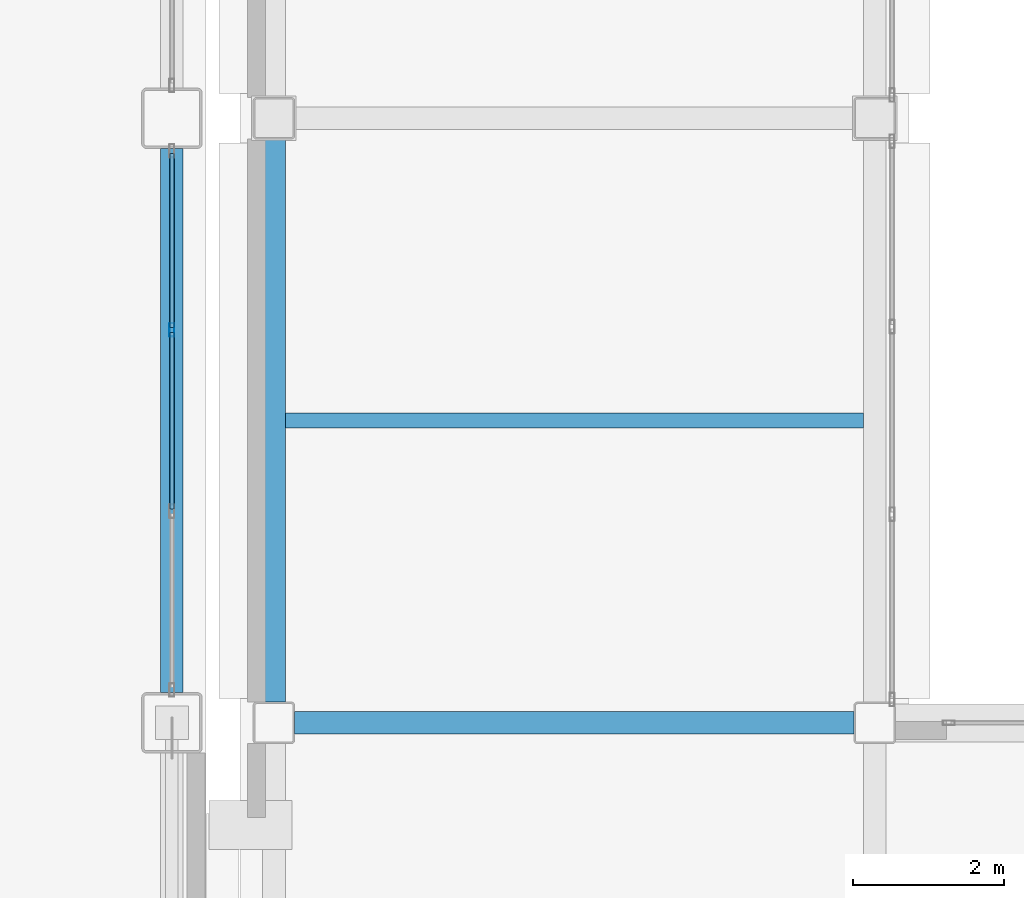
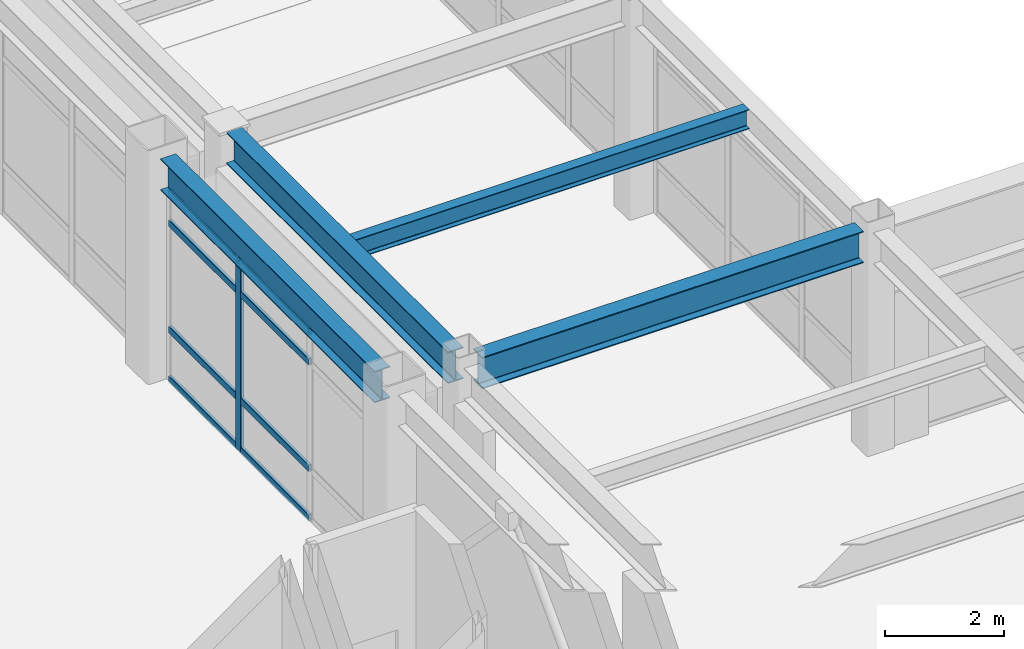
# One storey, part 36 of 154: 9 members, 4 beams, 1 element without a shape of its own.
"""IFC4 building model written with IfcOpenShell, lengths in metres."""

from ifc_helpers import new_model, si_unit, direction, frame, origin, origin_2d, place, context, subcontext, project, spatial, hollow_rectangle, i_section, extrude, material, layer, layer_set, material_profile, profile_set, type_object, element, aggregate, save


model = new_model("IFC4")

# Units and contexts
model_context = context("Model", 3, precision=1e-05, world=origin(), true_north=direction((0.0, 1.0)))
body_context = subcontext(model_context, "Body", "Model", "MODEL_VIEW")
ifc_project = project(units=[si_unit("LENGTHUNIT", "METRE"), si_unit("AREAUNIT", "SQUARE_METRE"), si_unit("VOLUMEUNIT", "CUBIC_METRE"), si_unit("PLANEANGLEUNIT", "RADIAN"), si_unit("MASSUNIT", "GRAM", prefix="KILO")], contexts=[model_context])

# Site, building, storey
site_placement = place(None, origin())
site = spatial("IfcSite", under=ifc_project, at=site_placement, CompositionType="ELEMENT")
building_placement = place(site_placement, origin())
building = spatial("IfcBuilding", under=site, at=building_placement, Name="Kazehara Bluff Congress Hotel", CompositionType="ELEMENT")
storey_placement = place(building_placement, frame((0.0, 0.0, 10.199951171875)))
storey = spatial("IfcBuildingStorey", under=building, at=storey_placement, Name="L02", CompositionType="ELEMENT", Elevation=10.199951171875)

# Curtain wall, members
ifc_material_1 = material(Name="Anodised aluminium", Category="aluminium")
ifc_layer = layer(ifc_material_1, 0.159912109375)
ifc_layer_set = layer_set([ifc_layer], Name="Anodised aluminium")
curtain_wall_type = type_object("IfcCurtainWallType", Name="TP-CW-23", PredefinedType="NOTDEFINED", material=ifc_layer_set)
curtain_wall_placement = place(storey_placement, origin())
curtain_wall = element("IfcCurtainWall", 1, at=curtain_wall_placement, inside=storey, type_object=curtain_wall_type, Name="L02 curtain wall CW-23 CW-V1-L02-X5835-5685", PredefinedType="NOTDEFINED")
ifc_material_2 = material(Name="Anodised aluminium", Category="aluminium")
ifc_material_profile_1 = material_profile(ifc_material_2, hollow_rectangle(XDim=0.06494140625, YDim=0.179931640625, WallThickness=0.00390625, InnerFilletRadius=0.00390625, OuterFilletRadius=0.008056640625, at=origin_2d()))
ifc_profile_set_1 = profile_set([ifc_material_profile_1], Name="Anodised aluminium")
member_type_1 = type_object("IfcMemberType", Name="TP-CWM-02", PredefinedType="MULLION", material=ifc_profile_set_1)
member_1_placement = place(storey_placement, frame((58.35009765625, 61.64990234375, 0.0), z_axis=(0.0, 0.0, 1.0), x_axis=(-1.0, 0.0, 0.0)))
member_1 = element("IfcMember", 2, at=member_1_placement, type_object=member_type_1, Name="CW-23 mullion 3", PredefinedType="MULLION", context=body_context, shape_type="SweptSolid", body=[
    extrude(hollow_rectangle(XDim=0.06494140625, YDim=0.179931640625, WallThickness=0.00390625, InnerFilletRadius=0.00390625, OuterFilletRadius=0.008056640625, at=origin_2d()), origin(), (0.0, 0.0, 1.0), 3.885009765625),
])
ifc_material_3 = material(Name="Anodised aluminium", Category="aluminium")
ifc_material_profile_2 = material_profile(ifc_material_3, hollow_rectangle(XDim=0.06494140625, YDim=0.139892578125, WallThickness=0.00390625, InnerFilletRadius=0.00390625, OuterFilletRadius=0.008056640625, at=origin_2d()))
ifc_profile_set_2 = profile_set([ifc_material_profile_2], Name="Anodised aluminium")
member_type_2 = type_object("IfcMemberType", Name="TP-CWT-02", PredefinedType="USERDEFINED", material=ifc_profile_set_2)
member_2_placement = place(storey_placement, frame((58.35009765625, 59.282470703125, 0.032470703125), z_axis=(0.0, 1.0, 0.0), x_axis=(-1.0, 0.0, 0.0)))
member_2 = element("IfcMember", 3, at=member_2_placement, type_object=member_type_2, Name="CW-23 transom 2.1", ObjectType="TRANSOM", PredefinedType="USERDEFINED", context=body_context, shape_type="SweptSolid", body=[
    extrude(hollow_rectangle(XDim=0.06494140625, YDim=0.139892578125, WallThickness=0.00390625, InnerFilletRadius=0.00390625, OuterFilletRadius=0.008056640625, at=origin_2d()), origin(), (0.0, 0.0, 1.0), 2.3349609375),
])
member_3_placement = place(storey_placement, frame((58.35009765625, 59.282470703125, 1.050048828125), z_axis=(0.0, 1.0, 0.0), x_axis=(-1.0, 0.0, 0.0)))
member_3 = element("IfcMember", 4, at=member_3_placement, type_object=member_type_2, Name="CW-23 transom 2.2", ObjectType="TRANSOM", PredefinedType="USERDEFINED", context=body_context, shape_type="SweptSolid", body=[
    extrude(hollow_rectangle(XDim=0.06494140625, YDim=0.139892578125, WallThickness=0.00390625, InnerFilletRadius=0.00390625, OuterFilletRadius=0.008056640625, at=origin_2d()), origin(), (0.0, 0.0, 1.0), 2.3349609375),
])
member_4_placement = place(storey_placement, frame((58.35009765625, 59.282470703125, 3.235107421875), z_axis=(0.0, 1.0, 0.0), x_axis=(-1.0, 0.0, 0.0)))
member_4 = element("IfcMember", 5, at=member_4_placement, type_object=member_type_2, Name="CW-23 transom 2.3", ObjectType="TRANSOM", PredefinedType="USERDEFINED", context=body_context, shape_type="SweptSolid", body=[
    extrude(hollow_rectangle(XDim=0.06494140625, YDim=0.139892578125, WallThickness=0.00390625, InnerFilletRadius=0.00390625, OuterFilletRadius=0.008056640625, at=origin_2d()), origin(), (0.0, 0.0, 1.0), 2.3349609375),
])
member_5_placement = place(storey_placement, frame((58.35009765625, 59.282470703125, 3.8525390625), z_axis=(0.0, 1.0, 0.0), x_axis=(-1.0, 0.0, 0.0)))
member_5 = element("IfcMember", 6, at=member_5_placement, type_object=member_type_2, Name="CW-23 transom 2.4", ObjectType="TRANSOM", PredefinedType="USERDEFINED", context=body_context, shape_type="SweptSolid", body=[
    extrude(hollow_rectangle(XDim=0.06494140625, YDim=0.139892578125, WallThickness=0.00390625, InnerFilletRadius=0.00390625, OuterFilletRadius=0.008056640625, at=origin_2d()), origin(), (0.0, 0.0, 1.0), 2.3349609375),
])
member_6_placement = place(storey_placement, frame((58.35009765625, 61.6826171875, 0.032470703125), z_axis=(0.0, 1.0, 0.0), x_axis=(-1.0, 0.0, 0.0)))
member_6 = element("IfcMember", 7, at=member_6_placement, type_object=member_type_2, Name="CW-23 transom 3.1", ObjectType="TRANSOM", PredefinedType="USERDEFINED", context=body_context, shape_type="SweptSolid", body=[
    extrude(hollow_rectangle(XDim=0.06494140625, YDim=0.139892578125, WallThickness=0.00390625, InnerFilletRadius=0.00390625, OuterFilletRadius=0.008056640625, at=origin_2d()), origin(), (0.0, 0.0, 1.0), 2.302490234375),
])
member_7_placement = place(storey_placement, frame((58.35009765625, 61.6826171875, 1.050048828125), z_axis=(0.0, 1.0, 0.0), x_axis=(-1.0, 0.0, 0.0)))
member_7 = element("IfcMember", 8, at=member_7_placement, type_object=member_type_2, Name="CW-23 transom 3.2", ObjectType="TRANSOM", PredefinedType="USERDEFINED", context=body_context, shape_type="SweptSolid", body=[
    extrude(hollow_rectangle(XDim=0.06494140625, YDim=0.139892578125, WallThickness=0.00390625, InnerFilletRadius=0.00390625, OuterFilletRadius=0.008056640625, at=origin_2d()), origin(), (0.0, 0.0, 1.0), 2.302490234375),
])
member_8_placement = place(storey_placement, frame((58.35009765625, 61.6826171875, 3.235107421875), z_axis=(0.0, 1.0, 0.0), x_axis=(-1.0, 0.0, 0.0)))
member_8 = element("IfcMember", 9, at=member_8_placement, type_object=member_type_2, Name="CW-23 transom 3.3", ObjectType="TRANSOM", PredefinedType="USERDEFINED", context=body_context, shape_type="SweptSolid", body=[
    extrude(hollow_rectangle(XDim=0.06494140625, YDim=0.139892578125, WallThickness=0.00390625, InnerFilletRadius=0.00390625, OuterFilletRadius=0.008056640625, at=origin_2d()), origin(), (0.0, 0.0, 1.0), 2.302490234375),
])
member_9_placement = place(storey_placement, frame((58.35009765625, 61.6826171875, 3.8525390625), z_axis=(0.0, 1.0, 0.0), x_axis=(-1.0, 0.0, 0.0)))
member_9 = element("IfcMember", 10, at=member_9_placement, type_object=member_type_2, Name="CW-23 transom 3.4", ObjectType="TRANSOM", PredefinedType="USERDEFINED", context=body_context, shape_type="SweptSolid", body=[
    extrude(hollow_rectangle(XDim=0.06494140625, YDim=0.139892578125, WallThickness=0.00390625, InnerFilletRadius=0.00390625, OuterFilletRadius=0.008056640625, at=origin_2d()), origin(), (0.0, 0.0, 1.0), 2.302490234375),
])
aggregate(curtain_wall, [member_1, member_2, member_3, member_4, member_5, member_6, member_7, member_8, member_9])

# Beams
ifc_material_4 = material(Name="Steel SN490B", Category="steel")
ifc_material_profile_3 = material_profile(ifc_material_4, i_section(OverallWidth=0.300048828125, OverallDepth=0.64990234375, WebThickness=0.011962890625, FlangeThickness=0.02001953125, FilletRadius=0.012939453125, at=origin_2d()))
ifc_profile_set_3 = profile_set([ifc_material_profile_3], Name="Steel SN490B")
beam_type_1 = type_object("IfcBeamType", Name="TP-G-03", PredefinedType="BEAM", material=ifc_profile_set_3)
beam_1_placement = place(storey_placement, frame((58.35009765625, 56.85009765625, 4.235107421875), z_axis=(0.0, 1.0, 0.0), x_axis=(-1.0, 0.0, 0.0)))
element("IfcBeam", 11, at=beam_1_placement, inside=storey, type_object=beam_type_1, Name="L02 girder G-03 18", PredefinedType="BEAM", context=body_context, shape_type="SweptSolid", body=[
    extrude(i_section(OverallWidth=0.300048828125, OverallDepth=0.64990234375, WebThickness=0.011962890625, FlangeThickness=0.02001953125, FilletRadius=0.012939453125, at=origin_2d()), origin(), (0.0, 0.0, 1.0), 7.199951171875),
])
beam_2_placement = place(storey_placement, frame((59.699951171875, 56.72509765625, 4.235107421875), z_axis=(0.0, 1.0, 0.0), x_axis=(-1.0, 0.0, 0.0)))
element("IfcBeam", 12, at=beam_2_placement, inside=storey, type_object=beam_type_1, Name="L02 girder G-03 62", PredefinedType="BEAM", context=body_context, shape_type="SweptSolid", body=[
    extrude(i_section(OverallWidth=0.300048828125, OverallDepth=0.64990234375, WebThickness=0.011962890625, FlangeThickness=0.02001953125, FilletRadius=0.012939453125, at=origin_2d()), origin(), (0.0, 0.0, 1.0), 7.449951171875),
])
beam_3_placement = place(storey_placement, frame((59.97509765625, 56.449951171875, 4.235107421875), z_axis=(1.0, 0.0, 0.0), x_axis=(0.0, 1.0, 0.0)))
element("IfcBeam", 13, at=beam_3_placement, inside=storey, type_object=beam_type_1, Name="L02 girder G-03 124", PredefinedType="BEAM", context=body_context, shape_type="SweptSolid", body=[
    extrude(i_section(OverallWidth=0.300048828125, OverallDepth=0.64990234375, WebThickness=0.011962890625, FlangeThickness=0.02001953125, FilletRadius=0.012939453125, at=origin_2d()), origin(), (0.0, 0.0, 1.0), 7.39990234375),
])
ifc_material_5 = material(Name="Steel SN400B", Category="steel")
ifc_material_profile_4 = material_profile(ifc_material_5, i_section(OverallWidth=0.199951171875, OverallDepth=0.39990234375, WebThickness=0.008056640625, FlangeThickness=0.012939453125, FilletRadius=0.012939453125, at=origin_2d()))
ifc_profile_set_4 = profile_set([ifc_material_profile_4], Name="Steel SN400B")
beam_type_2 = type_object("IfcBeamType", Name="TP-J-03", PredefinedType="JOIST", material=ifc_profile_set_4)
beam_4_placement = place(storey_placement, frame((59.85009765625, 60.449951171875, 4.360107421875), z_axis=(1.0, 0.0, 0.0), x_axis=(0.0, 1.0, 0.0)))
element("IfcBeam", 14, at=beam_4_placement, inside=storey, type_object=beam_type_2, Name="L02 secondary joist J-03 9", PredefinedType="JOIST", context=body_context, shape_type="SweptSolid", body=[
    extrude(i_section(OverallWidth=0.199951171875, OverallDepth=0.39990234375, WebThickness=0.008056640625, FlangeThickness=0.012939453125, FilletRadius=0.012939453125, at=origin_2d()), origin(), (0.0, 0.0, 1.0), 7.64990234375),
])

save(model, "model.ifc")
